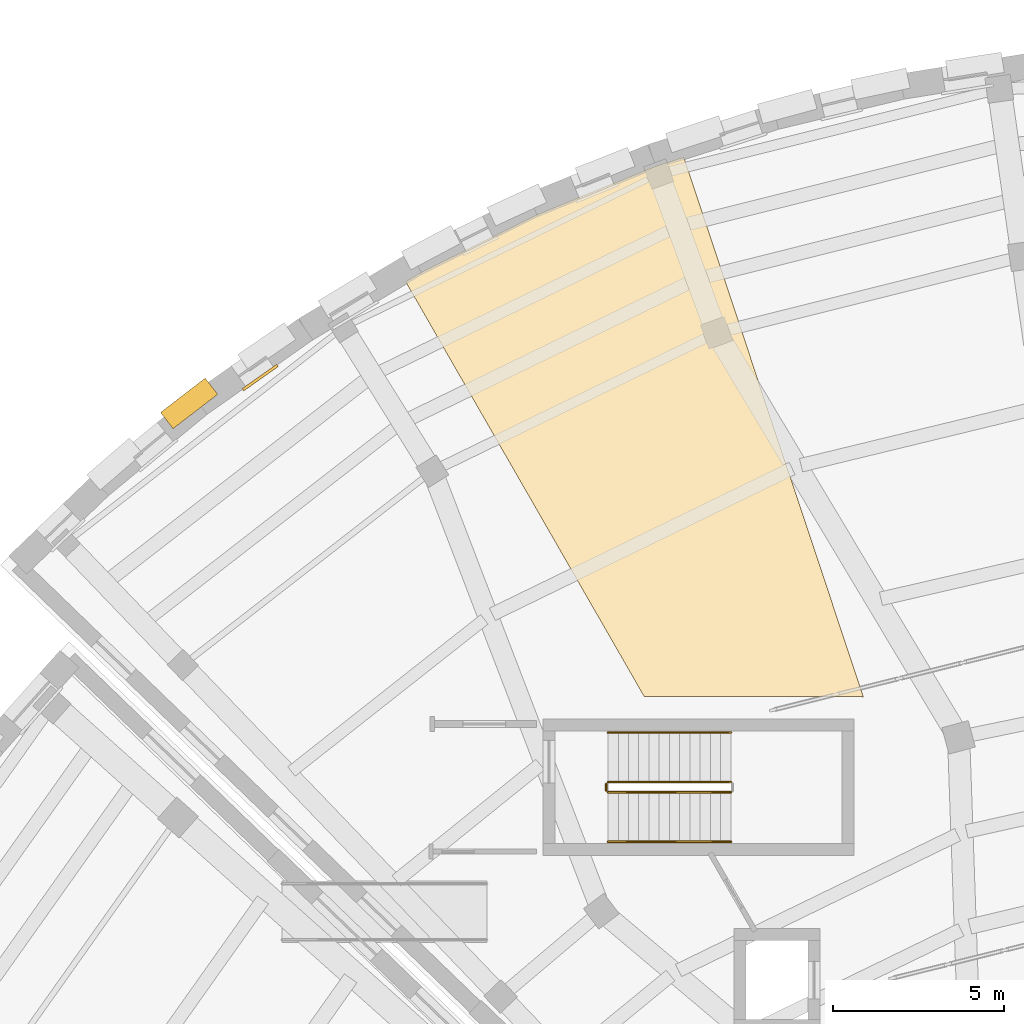
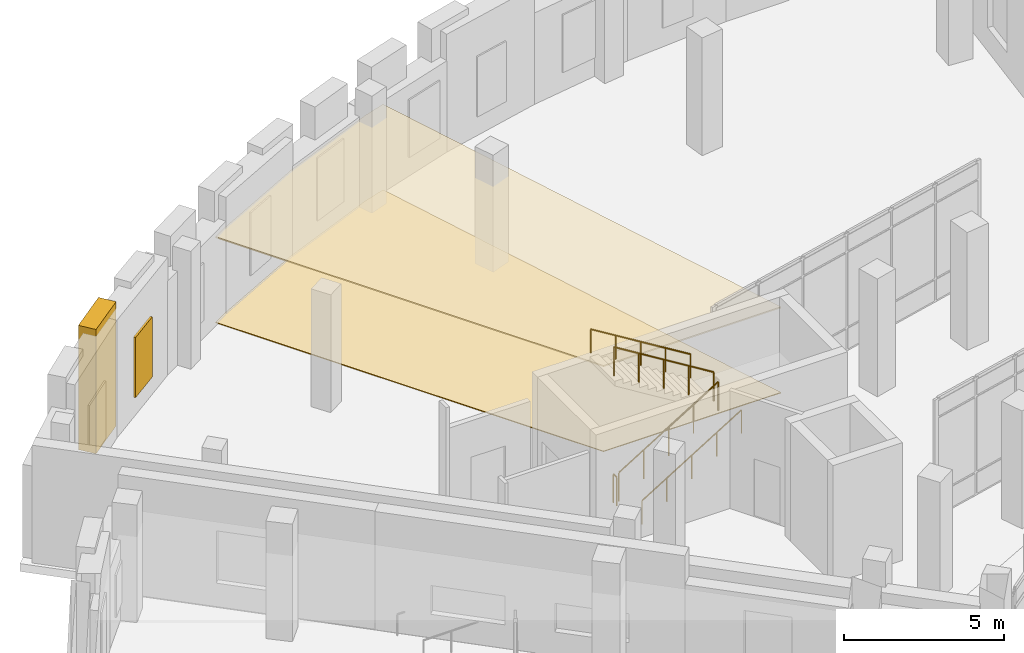
# One storey, part 82 of 89: 5 railings, 4 coverings.
"""IFC4 building model written with IfcOpenShell, lengths in metres."""

from ifc_helpers import new_model, si_unit, direction, frame, origin, origin_2d, place, context, subcontext, project, spatial, polyline, rectangle, circle, outline, extrude, material, layer, layer_set, type_object, element, save


model = new_model("IFC4")

# Units and contexts
model_context = context("Model", 3, precision=1e-05, world=origin(), true_north=direction((0.0, 1.0)))
body_context = subcontext(model_context, "Body", "Model", "MODEL_VIEW")
ifc_project = project(units=[si_unit("LENGTHUNIT", "METRE"), si_unit("AREAUNIT", "SQUARE_METRE"), si_unit("VOLUMEUNIT", "CUBIC_METRE"), si_unit("PLANEANGLEUNIT", "RADIAN"), si_unit("MASSUNIT", "GRAM", prefix="KILO")], contexts=[model_context])

# Site, building, storey
site_placement = place(None, origin())
site = spatial("IfcSite", under=ifc_project, at=site_placement, CompositionType="ELEMENT")
building_placement = place(site_placement, origin())
building = spatial("IfcBuilding", under=site, at=building_placement, Name="Soyqirgoq Riverine Aquarium", CompositionType="ELEMENT")
storey_placement = place(building_placement, frame((0.0, 0.0, 5.39990234375)))
storey = spatial("IfcBuildingStorey", under=building, at=storey_placement, Name="L02", CompositionType="ELEMENT", Elevation=5.39990234375)

# Coverings
ifc_material_1 = material(Name="Perforated mineral-fibre acoustic ceiling", Category="gypsum")
ifc_layer_1 = layer(ifc_material_1, 0.050048828125)
ifc_layer_set_1 = layer_set([ifc_layer_1], Name="Perforated mineral-fibre acoustic ceiling")
covering_type_1 = type_object("IfcCoveringType", Name="AcousticBaffleCeiling_50", PredefinedType="CEILING", material=ifc_layer_set_1)
covering_1_placement = place(storey_placement, frame((0.0, 0.0, 3.25)))
element("IfcCovering", 1, at=covering_1_placement, inside=storey, type_object=covering_type_1, Name="Temperate Rocky Shore Hall Suspended Ceiling", PredefinedType="CEILING", context=body_context, shape_type="SweptSolid", body=[
    extrude(outline(polyline([(32.0869140625, 100.739013671875), (35.4599609375, 102.4208984375), (38.950927734375, 103.843017578125), (39.77099609375, 104.10693359375), (45.031982421875, 88.2919921875), (44.993896484375, 88.298095703125), (44.949951171875, 88.300048828125), (38.613037109375, 88.300048828125), (31.6201171875, 100.4609375), (32.0869140625, 100.739013671875)])), origin(), (0.0, 0.0, 1.0), 0.050048828125),
])
ifc_material_2 = material(Name="Anodised extruded aluminium sunshade", Category="aluminium")
covering_type_2 = type_object("IfcCoveringType", Name="SolarShadingLouvre_450", PredefinedType="USERDEFINED", material=ifc_material_2)
covering_2_placement = place(storey_placement, frame((27.361083984375, 97.648193359375, 0.75), z_axis=(0.0, 0.0, 1.0), x_axis=(0.817446605564, 0.576004381105, 0.0)))
element("IfcCovering", 2, at=covering_2_placement, inside=storey, type_object=covering_type_2, Name="V4 L02 Travertine Niche Solar Shade 0045", ObjectType="SOLAR_SHADING", PredefinedType="USERDEFINED", context=body_context, shape_type="SweptSolid", body=[
    extrude(rectangle(XDim=1.239990234375, YDim=0.080078125, at=origin_2d()), origin(), (0.0, 0.0, 1.0), 2.300048828125),
])

# Railings
ifc_material_3 = material(Name="Brushed stainless steel 316L tubular handrail", Category="steel")
railing_type_1 = type_object("IfcRailingType", Name="StairPitchHandrail_920", PredefinedType="HANDRAIL", material=ifc_material_3)
railing_1_placement = place(storey_placement, frame((37.550048828125, 84.050048828125, 0.184814453125)))
element("IfcRailing", 3, at=railing_1_placement, inside=storey, type_object=railing_type_1, Name="L02 ST-4 stair handrail 1", PredefinedType="HANDRAIL", context=body_context, shape_type="SweptSolid", body=[
    extrude(circle(Radius=0.02392578125, at=origin_2d()), frame((0.0, 0.0, 0.89990234375), z_axis=(0.851654350407, 0.0, 0.524103870844), x_axis=(0.0, 1.0, 0.0)), (0.0, 0.0, 1.0), 4.226806640625),
    extrude(circle(Radius=0.02099609375, at=origin_2d()), origin(), (0.0, 0.0, 1.0), 0.875732421875),
    extrude(circle(Radius=0.02099609375, at=origin_2d()), frame((0.89990234375, 0.0, 0.5537109375)), (0.0, 0.0, 1.0), 0.875732421875),
    extrude(circle(Radius=0.02099609375, at=origin_2d()), frame((1.7998046875, 0.0, 1.107666015625)), (0.0, 0.0, 1.0), 0.875732421875),
    extrude(circle(Radius=0.02099609375, at=origin_2d()), frame((2.699951171875, 0.0, 1.66162109375)), (0.0, 0.0, 1.0), 0.875732421875),
    extrude(circle(Radius=0.02099609375, at=origin_2d()), frame((3.599853515625, 0.0, 2.21533203125)), (0.0, 0.0, 1.0), 0.875732421875),
])
railing_2_placement = place(storey_placement, frame((41.14990234375, 87.25, 2.584716796875)))
element("IfcRailing", 4, at=railing_2_placement, inside=storey, type_object=railing_type_1, Name="L02 ST-4 stair handrail 2", PredefinedType="HANDRAIL", context=body_context, shape_type="SweptSolid", body=[
    extrude(circle(Radius=0.02392578125, at=origin_2d()), frame((0.0, 0.0, 0.89990234375), z_axis=(-0.851654350407, 0.0, 0.524103870844), x_axis=(0.0, -1.0, 0.0)), (0.0, 0.0, 1.0), 4.226806640625),
    extrude(circle(Radius=0.02099609375, at=origin_2d()), origin(), (0.0, 0.0, 1.0), 0.875732421875),
    extrude(circle(Radius=0.02099609375, at=origin_2d()), frame((-0.89990234375, 0.0, 0.5537109375)), (0.0, 0.0, 1.0), 0.875732421875),
    extrude(circle(Radius=0.02099609375, at=origin_2d()), frame((-1.7998046875, 0.0, 1.107666015625)), (0.0, 0.0, 1.0), 0.875732421875),
    extrude(circle(Radius=0.02099609375, at=origin_2d()), frame((-2.699951171875, 0.0, 1.66162109375)), (0.0, 0.0, 1.0), 0.875732421875),
    extrude(circle(Radius=0.02099609375, at=origin_2d()), frame((-3.599853515625, 0.0, 2.21533203125)), (0.0, 0.0, 1.0), 0.875732421875),
])
ifc_material_4 = material(Name="Painted steel infill stair-well guardrail", Category="steel")
railing_type_2 = type_object("IfcRailingType", Name="StairWellGuard_1120", PredefinedType="GUARDRAIL", material=ifc_material_4)
railing_3_placement = place(storey_placement, frame((37.550048828125, 85.5, 0.184814453125)))
element("IfcRailing", 5, at=railing_3_placement, inside=storey, type_object=railing_type_2, Name="L02 ST-4 stair guard 1", PredefinedType="GUARDRAIL", context=body_context, shape_type="SweptSolid", body=[
    extrude(circle(Radius=0.02392578125, at=origin_2d()), frame((0.0, 0.0, 1.09619140625), z_axis=(0.851654350407, 0.0, 0.524103870844), x_axis=(0.0, 1.0, 0.0)), (0.0, 0.0, 1.0), 4.226806640625),
    extrude(circle(Radius=0.02099609375, at=origin_2d()), origin(), (0.0, 0.0, 1.0), 1.072021484375),
    extrude(circle(Radius=0.02099609375, at=origin_2d()), frame((0.89990234375, 0.0, 0.5537109375)), (0.0, 0.0, 1.0), 1.072021484375),
    extrude(circle(Radius=0.02099609375, at=origin_2d()), frame((1.7998046875, 0.0, 1.107666015625)), (0.0, 0.0, 1.0), 1.072021484375),
    extrude(circle(Radius=0.02099609375, at=origin_2d()), frame((2.699951171875, 0.0, 1.66162109375)), (0.0, 0.0, 1.0), 1.072021484375),
    extrude(circle(Radius=0.02099609375, at=origin_2d()), frame((3.599853515625, 0.0, 2.21533203125)), (0.0, 0.0, 1.0), 1.072021484375),
])
railing_4_placement = place(storey_placement, frame((41.14990234375, 85.800048828125, 2.584716796875)))
element("IfcRailing", 6, at=railing_4_placement, inside=storey, type_object=railing_type_2, Name="L02 ST-4 stair guard 3", PredefinedType="GUARDRAIL", context=body_context, shape_type="SweptSolid", body=[
    extrude(circle(Radius=0.02392578125, at=origin_2d()), frame((0.0, 0.0, 1.09619140625), z_axis=(-0.851654350407, 0.0, 0.524103870844), x_axis=(0.0, -1.0, 0.0)), (0.0, 0.0, 1.0), 4.226806640625),
    extrude(circle(Radius=0.02099609375, at=origin_2d()), origin(), (0.0, 0.0, 1.0), 1.072021484375),
    extrude(circle(Radius=0.02099609375, at=origin_2d()), frame((-0.89990234375, 0.0, 0.5537109375)), (0.0, 0.0, 1.0), 1.072021484375),
    extrude(circle(Radius=0.02099609375, at=origin_2d()), frame((-1.7998046875, 0.0, 1.107666015625)), (0.0, 0.0, 1.0), 1.072021484375),
    extrude(circle(Radius=0.02099609375, at=origin_2d()), frame((-2.699951171875, 0.0, 1.66162109375)), (0.0, 0.0, 1.0), 1.072021484375),
    extrude(circle(Radius=0.02099609375, at=origin_2d()), frame((-3.599853515625, 0.0, 2.21533203125)), (0.0, 0.0, 1.0), 1.072021484375),
])
railing_5_placement = place(storey_placement, frame((37.5, 85.550048828125, 0.0)))
element("IfcRailing", 7, at=railing_5_placement, inside=storey, type_object=railing_type_2, Name="L02 ST-4 stair guard 4", PredefinedType="GUARDRAIL", context=body_context, shape_type="SweptSolid", body=[
    extrude(circle(Radius=0.02392578125, at=origin_2d()), frame((0.0, 0.0, 1.09619140625), z_axis=(0.0, 1.0, 0.0), x_axis=(-1.0, 0.0, 0.0)), (0.0, 0.0, 1.0), 0.199951171875),
    extrude(circle(Radius=0.02099609375, at=origin_2d()), origin(), (0.0, 0.0, 1.0), 1.072021484375),
    extrude(circle(Radius=0.02099609375, at=origin_2d()), frame((0.0, 0.199951171875, 0.0)), (0.0, 0.0, 1.0), 1.072021484375),
])

# Coverings
ifc_material_5 = material(Name="Polished Chirchiq river-pebble terrazzo flooring", Category="concrete")
ifc_layer_2 = layer(ifc_material_5, 0.030029296875)
ifc_layer_set_2 = layer_set([ifc_layer_2], Name="Polished Chirchiq river-pebble terrazzo flooring")
covering_type_3 = type_object("IfcCoveringType", Name="TerrazzoFloorFinish_30", PredefinedType="FLOORING", material=ifc_layer_set_2)
covering_3_placement = place(storey_placement, origin())
element("IfcCovering", 8, at=covering_3_placement, inside=storey, type_object=covering_type_3, Name="Temperate Rocky Shore Hall Floor Finish", PredefinedType="FLOORING", context=body_context, shape_type="SweptSolid", body=[
    extrude(outline(polyline([(32.0869140625, 100.739013671875), (35.4599609375, 102.4208984375), (38.950927734375, 103.843017578125), (39.77099609375, 104.10693359375), (45.031982421875, 88.2919921875), (44.993896484375, 88.298095703125), (44.949951171875, 88.300048828125), (38.613037109375, 88.300048828125), (31.6201171875, 100.4609375), (32.0869140625, 100.739013671875)])), origin(), (0.0, 0.0, 1.0), 0.030029296875),
])
ifc_material_6 = material(Name="Honed Uzbek travertine limestone vertical niche pier", Category="masonry")
covering_type_4 = type_object("IfcCoveringType", Name="TravertineNichePier_550", PredefinedType="CLADDING", material=ifc_material_6)
covering_4_placement = place(storey_placement, frame((25.279296875, 96.891845703125, 0.0), z_axis=(0.0, 0.0, 1.0), x_axis=(-0.610145163901, 0.792289643355, 0.0)))
element("IfcCovering", 9, at=covering_4_placement, inside=storey, type_object=covering_type_4, Name="V4 L02 Travertine Vertical Niche Pier 088", PredefinedType="CLADDING", context=body_context, shape_type="SweptSolid", body=[
    extrude(rectangle(XDim=0.60009765625, YDim=1.64990234375, at=origin_2d()), origin(), (0.0, 0.0, 1.0), 4.75),
])

save(model, "model.ifc")
